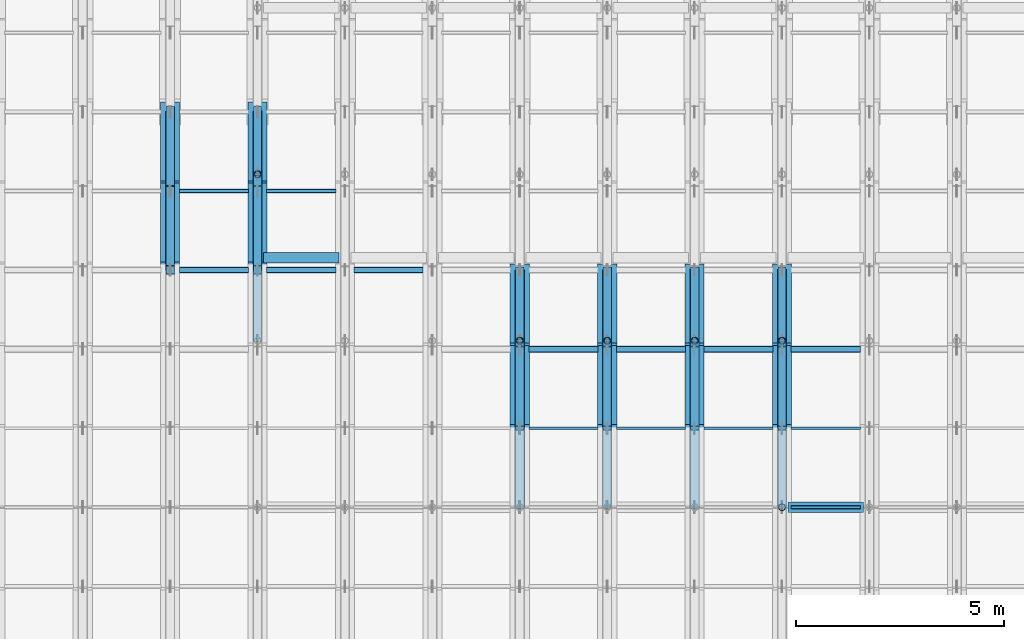
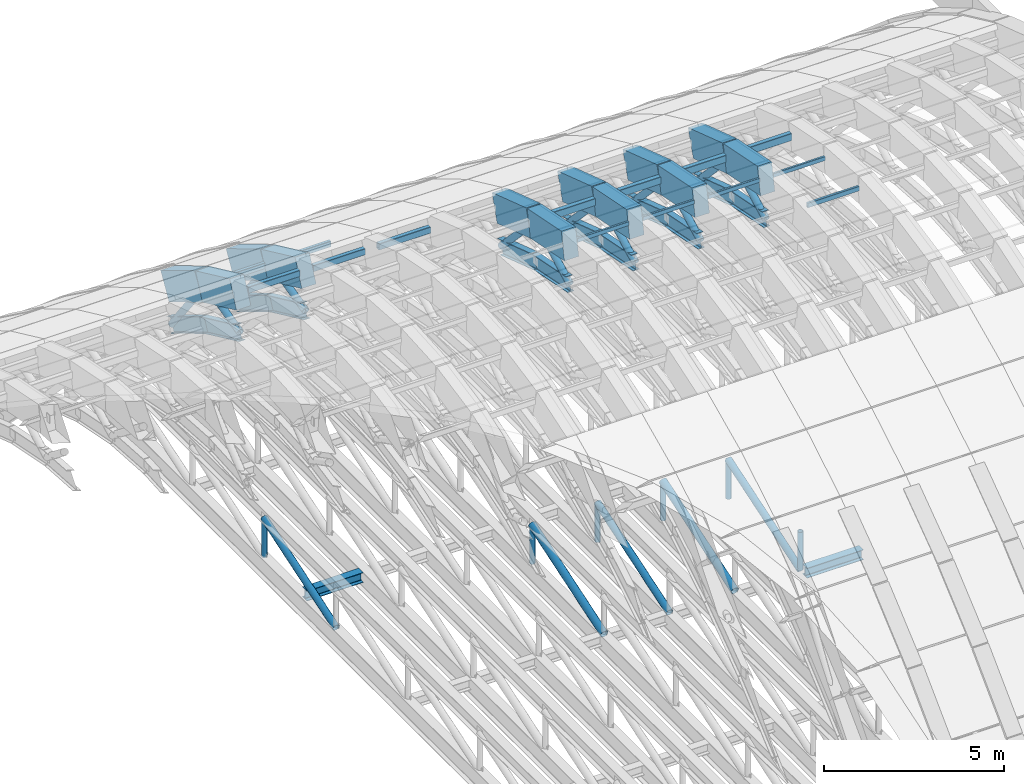
# One storey, part 28 of 67: 37 members, 26 beams.
"""IFC4 building model written with IfcOpenShell, lengths in metres."""

from ifc_helpers import new_model, si_unit, direction, frame, origin, origin_2d, place, context, subcontext, project, spatial, rectangle, hollow_rectangle, hollow_circle, i_section, extrude, material, material_profile, profile_set, type_object, element, save


model = new_model("IFC4")

# Units and contexts
model_context = context("Model", 3, precision=1e-05, world=origin(), true_north=direction((0.0, 1.0)))
body_context = subcontext(model_context, "Body", "Model", "MODEL_VIEW")
ifc_project = project(units=[si_unit("LENGTHUNIT", "METRE"), si_unit("AREAUNIT", "SQUARE_METRE"), si_unit("VOLUMEUNIT", "CUBIC_METRE"), si_unit("PLANEANGLEUNIT", "RADIAN"), si_unit("MASSUNIT", "GRAM", prefix="KILO")], contexts=[model_context])

# Site, building, storey
site_placement = place(None, origin())
site = spatial("IfcSite", under=ifc_project, at=site_placement, CompositionType="ELEMENT")
building_placement = place(site_placement, origin())
building = spatial("IfcBuilding", under=site, at=building_placement, Name="Shengluoqiao Park Theatre", CompositionType="ELEMENT")
storey_placement = place(building_placement, frame((0.0, 0.0, 28.60009765625)))
storey = spatial("IfcBuildingStorey", under=building, at=storey_placement, Name="Roof", CompositionType="ELEMENT", Elevation=28.60009765625)

# Beams
ifc_material_1 = material(Name="Concrete C50", Category="concrete")
ifc_material_profile_1 = material_profile(ifc_material_1, rectangle(XDim=0.4599609375, YDim=0.919921875, at=origin_2d()), Name="RC ARCH 460x920")
ifc_profile_set_1 = profile_set([ifc_material_profile_1], Name="Concrete C50")
beam_type_1 = type_object("IfcBeamType", Name="STR-BM-AR-4609", PredefinedType="BEAM", material=ifc_profile_set_1)
beam_1_placement = place(storey_placement, frame((61.199951171875, 100.699951171875, 1.44580078125), z_axis=(0.0, 0.907077318021, -0.420964059192), x_axis=(-1.0, 0.0, 0.0)))
element("IfcBeam", 1, at=beam_1_placement, inside=storey, type_object=beam_type_1, Name="Barrel-Shell Arch Rib R09-S14", PredefinedType="BEAM", context=body_context, shape_type="SweptSolid", body=[
    extrude(rectangle(XDim=0.4599609375, YDim=0.919921875, at=origin_2d()), origin(), (0.0, 0.0, 1.0), 2.0947265625),
])
beam_2_placement = place(storey_placement, frame((61.199951171875, 102.60009765625, 0.56396484375), z_axis=(0.0, 0.858668723557, -0.512530997292), x_axis=(-1.0, 0.0, 0.0)))
element("IfcBeam", 2, at=beam_2_placement, inside=storey, type_object=beam_type_1, Name="Barrel-Shell Arch Rib R09-S15", PredefinedType="BEAM", context=body_context, shape_type="SweptSolid", body=[
    extrude(rectangle(XDim=0.4599609375, YDim=0.919921875, at=origin_2d()), origin(), (0.0, 0.0, 1.0), 2.212646484375),
])
beam_3_placement = place(storey_placement, frame((63.300048828125, 100.699951171875, 1.44580078125), z_axis=(0.0, 0.907077318021, -0.420964059192), x_axis=(-1.0, 0.0, 0.0)))
element("IfcBeam", 3, at=beam_3_placement, inside=storey, type_object=beam_type_1, Name="Barrel-Shell Arch Rib R10-S14", PredefinedType="BEAM", context=body_context, shape_type="SweptSolid", body=[
    extrude(rectangle(XDim=0.4599609375, YDim=0.919921875, at=origin_2d()), origin(), (0.0, 0.0, 1.0), 2.0947265625),
])
beam_4_placement = place(storey_placement, frame((63.300048828125, 102.60009765625, 0.56396484375), z_axis=(0.0, 0.858668723557, -0.512530997292), x_axis=(-1.0, 0.0, 0.0)))
element("IfcBeam", 4, at=beam_4_placement, inside=storey, type_object=beam_type_1, Name="Barrel-Shell Arch Rib R10-S15", PredefinedType="BEAM", context=body_context, shape_type="SweptSolid", body=[
    extrude(rectangle(XDim=0.4599609375, YDim=0.919921875, at=origin_2d()), origin(), (0.0, 0.0, 1.0), 2.212646484375),
])
beam_5_placement = place(storey_placement, frame((69.60009765625, 96.89990234375, 2.453857421875), z_axis=(0.0, 0.980788534345, -0.195073962632), x_axis=(-1.0, 0.0, 0.0)))
element("IfcBeam", 5, at=beam_5_placement, inside=storey, type_object=beam_type_1, Name="Barrel-Shell Arch Rib R13-S12", PredefinedType="BEAM", context=body_context, shape_type="SweptSolid", body=[
    extrude(rectangle(XDim=0.4599609375, YDim=0.919921875, at=origin_2d()), origin(), (0.0, 0.0, 1.0), 1.937255859375),
])
beam_6_placement = place(storey_placement, frame((69.60009765625, 98.800048828125, 2.075927734375), z_axis=(0.0, 0.949157901431, -0.314800378257), x_axis=(-1.0, 0.0, 0.0)))
element("IfcBeam", 6, at=beam_6_placement, inside=storey, type_object=beam_type_1, Name="Barrel-Shell Arch Rib R13-S13", PredefinedType="BEAM", context=body_context, shape_type="SweptSolid", body=[
    extrude(rectangle(XDim=0.4599609375, YDim=0.919921875, at=origin_2d()), origin(), (0.0, 0.0, 1.0), 2.001708984375),
])
beam_7_placement = place(storey_placement, frame((71.699951171875, 96.89990234375, 2.453857421875), z_axis=(0.0, 0.980788534345, -0.195073962632), x_axis=(-1.0, 0.0, 0.0)))
element("IfcBeam", 7, at=beam_7_placement, inside=storey, type_object=beam_type_1, Name="Barrel-Shell Arch Rib R14-S12", PredefinedType="BEAM", context=body_context, shape_type="SweptSolid", body=[
    extrude(rectangle(XDim=0.4599609375, YDim=0.919921875, at=origin_2d()), origin(), (0.0, 0.0, 1.0), 1.937255859375),
])
beam_8_placement = place(storey_placement, frame((71.699951171875, 98.800048828125, 2.075927734375), z_axis=(0.0, 0.949157901431, -0.314800378257), x_axis=(-1.0, 0.0, 0.0)))
element("IfcBeam", 8, at=beam_8_placement, inside=storey, type_object=beam_type_1, Name="Barrel-Shell Arch Rib R14-S13", PredefinedType="BEAM", context=body_context, shape_type="SweptSolid", body=[
    extrude(rectangle(XDim=0.4599609375, YDim=0.919921875, at=origin_2d()), origin(), (0.0, 0.0, 1.0), 2.001708984375),
])
beam_9_placement = place(storey_placement, frame((73.800048828125, 96.89990234375, 2.453857421875), z_axis=(0.0, 0.980788534345, -0.195073962632), x_axis=(-1.0, 0.0, 0.0)))
element("IfcBeam", 9, at=beam_9_placement, inside=storey, type_object=beam_type_1, Name="Barrel-Shell Arch Rib R15-S12", PredefinedType="BEAM", context=body_context, shape_type="SweptSolid", body=[
    extrude(rectangle(XDim=0.4599609375, YDim=0.919921875, at=origin_2d()), origin(), (0.0, 0.0, 1.0), 1.937255859375),
])
beam_10_placement = place(storey_placement, frame((73.800048828125, 98.800048828125, 2.075927734375), z_axis=(0.0, 0.949157901431, -0.314800378257), x_axis=(-1.0, 0.0, 0.0)))
element("IfcBeam", 10, at=beam_10_placement, inside=storey, type_object=beam_type_1, Name="Barrel-Shell Arch Rib R15-S13", PredefinedType="BEAM", context=body_context, shape_type="SweptSolid", body=[
    extrude(rectangle(XDim=0.4599609375, YDim=0.919921875, at=origin_2d()), origin(), (0.0, 0.0, 1.0), 2.001708984375),
])
beam_11_placement = place(storey_placement, frame((75.89990234375, 96.89990234375, 2.453857421875), z_axis=(0.0, 0.980788534345, -0.195073962632), x_axis=(-1.0, 0.0, 0.0)))
element("IfcBeam", 11, at=beam_11_placement, inside=storey, type_object=beam_type_1, Name="Barrel-Shell Arch Rib R16-S12", PredefinedType="BEAM", context=body_context, shape_type="SweptSolid", body=[
    extrude(rectangle(XDim=0.4599609375, YDim=0.919921875, at=origin_2d()), origin(), (0.0, 0.0, 1.0), 1.937255859375),
])
beam_12_placement = place(storey_placement, frame((75.89990234375, 98.800048828125, 2.075927734375), z_axis=(0.0, 0.949157901431, -0.314800378257), x_axis=(-1.0, 0.0, 0.0)))
element("IfcBeam", 12, at=beam_12_placement, inside=storey, type_object=beam_type_1, Name="Barrel-Shell Arch Rib R16-S13", PredefinedType="BEAM", context=body_context, shape_type="SweptSolid", body=[
    extrude(rectangle(XDim=0.4599609375, YDim=0.919921875, at=origin_2d()), origin(), (0.0, 0.0, 1.0), 2.001708984375),
])
ifc_material_2 = material(Name="Steel Q355", Category="steel")
ifc_material_profile_2 = material_profile(ifc_material_2, i_section(OverallWidth=0.25, OverallDepth=0.340087890625, WebThickness=0.009033203125, FlangeThickness=0.013916015625, FilletRadius=0.01611328125, at=origin_2d()), Name="HM 340x250x9x14")
ifc_profile_set_2 = profile_set([ifc_material_profile_2], Name="Steel Q355")
beam_type_2 = type_object("IfcBeamType", Name="STR-BM-G-HM340", PredefinedType="BEAM", material=ifc_profile_set_2)
for number, where, z_axis, x_axis, name in (
    (13, (63.444091796875, 101.0, -9.77001953125), (1.0, 0.0, 0.0), (0.0, 1.0, 0.0), "Auditorium Overhead Catwalk Girder R10-4"),
    (14, (76.0439453125, 95.0, -9.77001953125), (1.0, 0.0, 0.0), (0.0, 1.0, 0.0), "Auditorium Overhead Catwalk Girder R16-3"),
):
    element("IfcBeam", number, at=place(storey_placement, frame(where, z_axis=z_axis, x_axis=x_axis)), inside=storey, type_object=beam_type_2, Name=name, PredefinedType="BEAM", context=body_context, shape_type="SweptSolid", body=[
        extrude(i_section(OverallWidth=0.25, OverallDepth=0.340087890625, WebThickness=0.009033203125, FlangeThickness=0.013916015625, FilletRadius=0.01611328125, at=origin_2d()), origin(), (0.0, 0.0, 1.0), 1.81201171875),
    ])
ifc_material_profile_3 = material_profile(ifc_material_2, i_section(OverallWidth=0.199951171875, OverallDepth=0.5, WebThickness=0.010009765625, FlangeThickness=0.01611328125, FilletRadius=0.01806640625, at=origin_2d()), Name="HN 500x200x10x16")
ifc_profile_set_3 = profile_set([ifc_material_profile_3], Name="Steel Q355")
beam_type_3 = type_object("IfcBeamType", Name="STR-BM-J-HN500", PredefinedType="JOIST", material=ifc_profile_set_3)
beam_13_placement = place(storey_placement, frame((61.199951171875, 100.699951171875, 0.0859375), z_axis=(0.0, 0.907032812412, -0.421059944911), x_axis=(-1.0, 0.0, 0.0)))
element("IfcBeam", 15, at=beam_13_placement, inside=storey, type_object=beam_type_3, Name="Barrel-Shell Lower Arch Chord R09-S14", PredefinedType="JOIST", context=body_context, shape_type="SweptSolid", body=[
    extrude(i_section(OverallWidth=0.199951171875, OverallDepth=0.5, WebThickness=0.010009765625, FlangeThickness=0.01611328125, FilletRadius=0.01806640625, at=origin_2d()), origin(), (0.0, 0.0, 1.0), 2.094970703125),
])
beam_14_placement = place(storey_placement, frame((61.199951171875, 102.60009765625, -0.796142578125), z_axis=(0.0, 0.858668723557, -0.512530997292), x_axis=(-1.0, 0.0, 0.0)))
element("IfcBeam", 16, at=beam_14_placement, inside=storey, type_object=beam_type_3, Name="Barrel-Shell Lower Arch Chord R09-S15", PredefinedType="JOIST", context=body_context, shape_type="SweptSolid", body=[
    extrude(i_section(OverallWidth=0.199951171875, OverallDepth=0.5, WebThickness=0.010009765625, FlangeThickness=0.01611328125, FilletRadius=0.01806640625, at=origin_2d()), origin(), (0.0, 0.0, 1.0), 2.212646484375),
])
beam_15_placement = place(storey_placement, frame((63.300048828125, 100.699951171875, 0.0859375), z_axis=(0.0, 0.907032812412, -0.421059944911), x_axis=(-1.0, 0.0, 0.0)))
element("IfcBeam", 17, at=beam_15_placement, inside=storey, type_object=beam_type_3, Name="Barrel-Shell Lower Arch Chord R10-S14", PredefinedType="JOIST", context=body_context, shape_type="SweptSolid", body=[
    extrude(i_section(OverallWidth=0.199951171875, OverallDepth=0.5, WebThickness=0.010009765625, FlangeThickness=0.01611328125, FilletRadius=0.01806640625, at=origin_2d()), origin(), (0.0, 0.0, 1.0), 2.094970703125),
])
beam_16_placement = place(storey_placement, frame((63.300048828125, 102.60009765625, -0.796142578125), z_axis=(0.0, 0.858668723557, -0.512530997292), x_axis=(-1.0, 0.0, 0.0)))
element("IfcBeam", 18, at=beam_16_placement, inside=storey, type_object=beam_type_3, Name="Barrel-Shell Lower Arch Chord R10-S15", PredefinedType="JOIST", context=body_context, shape_type="SweptSolid", body=[
    extrude(i_section(OverallWidth=0.199951171875, OverallDepth=0.5, WebThickness=0.010009765625, FlangeThickness=0.01611328125, FilletRadius=0.01806640625, at=origin_2d()), origin(), (0.0, 0.0, 1.0), 2.212646484375),
])
beam_17_placement = place(storey_placement, frame((69.60009765625, 96.89990234375, 1.093994140625), z_axis=(0.0, 0.980764417124, -0.19519517951), x_axis=(-1.0, 0.0, 0.0)))
element("IfcBeam", 19, at=beam_17_placement, inside=storey, type_object=beam_type_3, Name="Barrel-Shell Lower Arch Chord R13-S12", PredefinedType="JOIST", context=body_context, shape_type="SweptSolid", body=[
    extrude(i_section(OverallWidth=0.199951171875, OverallDepth=0.5, WebThickness=0.010009765625, FlangeThickness=0.01611328125, FilletRadius=0.01806640625, at=origin_2d()), origin(), (0.0, 0.0, 1.0), 1.9375),
])
beam_18_placement = place(storey_placement, frame((69.60009765625, 98.800048828125, 0.7158203125), z_axis=(0.0, 0.949194340043, -0.314690490531), x_axis=(-1.0, 0.0, 0.0)))
element("IfcBeam", 20, at=beam_18_placement, inside=storey, type_object=beam_type_3, Name="Barrel-Shell Lower Arch Chord R13-S13", PredefinedType="JOIST", context=body_context, shape_type="SweptSolid", body=[
    extrude(i_section(OverallWidth=0.199951171875, OverallDepth=0.5, WebThickness=0.010009765625, FlangeThickness=0.01611328125, FilletRadius=0.01806640625, at=origin_2d()), origin(), (0.0, 0.0, 1.0), 2.001708984375),
])
beam_19_placement = place(storey_placement, frame((71.699951171875, 96.89990234375, 1.093994140625), z_axis=(0.0, 0.980764417124, -0.19519517951), x_axis=(-1.0, 0.0, 0.0)))
element("IfcBeam", 21, at=beam_19_placement, inside=storey, type_object=beam_type_3, Name="Barrel-Shell Lower Arch Chord R14-S12", PredefinedType="JOIST", context=body_context, shape_type="SweptSolid", body=[
    extrude(i_section(OverallWidth=0.199951171875, OverallDepth=0.5, WebThickness=0.010009765625, FlangeThickness=0.01611328125, FilletRadius=0.01806640625, at=origin_2d()), origin(), (0.0, 0.0, 1.0), 1.9375),
])
beam_20_placement = place(storey_placement, frame((71.699951171875, 98.800048828125, 0.7158203125), z_axis=(0.0, 0.949194340043, -0.314690490531), x_axis=(-1.0, 0.0, 0.0)))
element("IfcBeam", 22, at=beam_20_placement, inside=storey, type_object=beam_type_3, Name="Barrel-Shell Lower Arch Chord R14-S13", PredefinedType="JOIST", context=body_context, shape_type="SweptSolid", body=[
    extrude(i_section(OverallWidth=0.199951171875, OverallDepth=0.5, WebThickness=0.010009765625, FlangeThickness=0.01611328125, FilletRadius=0.01806640625, at=origin_2d()), origin(), (0.0, 0.0, 1.0), 2.001708984375),
])
beam_21_placement = place(storey_placement, frame((73.800048828125, 96.89990234375, 1.093994140625), z_axis=(0.0, 0.980764417124, -0.19519517951), x_axis=(-1.0, 0.0, 0.0)))
element("IfcBeam", 23, at=beam_21_placement, inside=storey, type_object=beam_type_3, Name="Barrel-Shell Lower Arch Chord R15-S12", PredefinedType="JOIST", context=body_context, shape_type="SweptSolid", body=[
    extrude(i_section(OverallWidth=0.199951171875, OverallDepth=0.5, WebThickness=0.010009765625, FlangeThickness=0.01611328125, FilletRadius=0.01806640625, at=origin_2d()), origin(), (0.0, 0.0, 1.0), 1.9375),
])
beam_22_placement = place(storey_placement, frame((73.800048828125, 98.800048828125, 0.7158203125), z_axis=(0.0, 0.949194340043, -0.314690490531), x_axis=(-1.0, 0.0, 0.0)))
element("IfcBeam", 24, at=beam_22_placement, inside=storey, type_object=beam_type_3, Name="Barrel-Shell Lower Arch Chord R15-S13", PredefinedType="JOIST", context=body_context, shape_type="SweptSolid", body=[
    extrude(i_section(OverallWidth=0.199951171875, OverallDepth=0.5, WebThickness=0.010009765625, FlangeThickness=0.01611328125, FilletRadius=0.01806640625, at=origin_2d()), origin(), (0.0, 0.0, 1.0), 2.001708984375),
])
beam_23_placement = place(storey_placement, frame((75.89990234375, 96.89990234375, 1.093994140625), z_axis=(0.0, 0.980764417124, -0.19519517951), x_axis=(-1.0, 0.0, 0.0)))
element("IfcBeam", 25, at=beam_23_placement, inside=storey, type_object=beam_type_3, Name="Barrel-Shell Lower Arch Chord R16-S12", PredefinedType="JOIST", context=body_context, shape_type="SweptSolid", body=[
    extrude(i_section(OverallWidth=0.199951171875, OverallDepth=0.5, WebThickness=0.010009765625, FlangeThickness=0.01611328125, FilletRadius=0.01806640625, at=origin_2d()), origin(), (0.0, 0.0, 1.0), 1.9375),
])
beam_24_placement = place(storey_placement, frame((75.89990234375, 98.800048828125, 0.7158203125), z_axis=(0.0, 0.949194340043, -0.314690490531), x_axis=(-1.0, 0.0, 0.0)))
element("IfcBeam", 26, at=beam_24_placement, inside=storey, type_object=beam_type_3, Name="Barrel-Shell Lower Arch Chord R16-S13", PredefinedType="JOIST", context=body_context, shape_type="SweptSolid", body=[
    extrude(i_section(OverallWidth=0.199951171875, OverallDepth=0.5, WebThickness=0.010009765625, FlangeThickness=0.01611328125, FilletRadius=0.01806640625, at=origin_2d()), origin(), (0.0, 0.0, 1.0), 2.001708984375),
])

# Members
ifc_material_profile_4 = material_profile(ifc_material_2, hollow_circle(Radius=0.109619140625, WallThickness=0.010009765625, at=origin_2d()), Name="CHS 219x10")
ifc_profile_set_4 = profile_set([ifc_material_profile_4], Name="Steel Q355")
member_type_1 = type_object("IfcMemberType", Name="STR-MEM-BRC-219", PredefinedType="BRACE", material=ifc_profile_set_4)
member_1_placement = place(storey_placement, frame((61.199951171875, 100.699951171875, 0.0859375), z_axis=(0.0, 0.96978228772, 0.243971954176), x_axis=(-1.0, 0.0, 0.0)))
element("IfcMember", 27, at=member_1_placement, inside=storey, type_object=member_type_1, Name="Barrel-Shell Arch Truss Web 0174", PredefinedType="BRACE", context=body_context, shape_type="SweptSolid", body=[
    extrude(hollow_circle(Radius=0.109619140625, WallThickness=0.010009765625, at=origin_2d()), origin(), (0.0, 0.0, 1.0), 1.95947265625),
])
member_2_placement = place(storey_placement, frame((61.199951171875, 102.60009765625, 0.56396484375), z_axis=(0.0, 0.605963445698, -0.795492490523), x_axis=(-1.0, 0.0, 0.0)))
element("IfcMember", 28, at=member_2_placement, inside=storey, type_object=member_type_1, Name="Barrel-Shell Arch Truss Web 0175", PredefinedType="BRACE", context=body_context, shape_type="SweptSolid", body=[
    extrude(hollow_circle(Radius=0.109619140625, WallThickness=0.010009765625, at=origin_2d()), origin(), (0.0, 0.0, 1.0), 3.13525390625),
])
member_3_placement = place(storey_placement, frame((63.300048828125, 100.699951171875, 0.0859375), z_axis=(0.0, 0.96978228772, 0.243971954176), x_axis=(-1.0, 0.0, 0.0)))
element("IfcMember", 29, at=member_3_placement, inside=storey, type_object=member_type_1, Name="Barrel-Shell Arch Truss Web 0194", PredefinedType="BRACE", context=body_context, shape_type="SweptSolid", body=[
    extrude(hollow_circle(Radius=0.109619140625, WallThickness=0.010009765625, at=origin_2d()), origin(), (0.0, 0.0, 1.0), 1.95947265625),
])
member_4_placement = place(storey_placement, frame((63.300048828125, 102.60009765625, 0.56396484375), z_axis=(0.0, 0.605963445698, -0.795492490523), x_axis=(-1.0, 0.0, 0.0)))
element("IfcMember", 30, at=member_4_placement, inside=storey, type_object=member_type_1, Name="Barrel-Shell Arch Truss Web 0195", PredefinedType="BRACE", context=body_context, shape_type="SweptSolid", body=[
    extrude(hollow_circle(Radius=0.109619140625, WallThickness=0.010009765625, at=origin_2d()), origin(), (0.0, 0.0, 1.0), 3.13525390625),
])
member_5_placement = place(storey_placement, frame((69.60009765625, 96.89990234375, 1.093994140625), z_axis=(0.0, 0.888389440766, 0.459090624535), x_axis=(-1.0, 0.0, 0.0)))
element("IfcMember", 31, at=member_5_placement, inside=storey, type_object=member_type_1, Name="Barrel-Shell Arch Truss Web 0252", PredefinedType="BRACE", context=body_context, shape_type="SweptSolid", body=[
    extrude(hollow_circle(Radius=0.109619140625, WallThickness=0.010009765625, at=origin_2d()), origin(), (0.0, 0.0, 1.0), 2.138916015625),
])
member_6_placement = place(storey_placement, frame((69.60009765625, 98.800048828125, 2.075927734375), z_axis=(0.0, 0.690545389436, -0.723289060562), x_axis=(-1.0, 0.0, 0.0)))
element("IfcMember", 32, at=member_6_placement, inside=storey, type_object=member_type_1, Name="Barrel-Shell Arch Truss Web 0253", PredefinedType="BRACE", context=body_context, shape_type="SweptSolid", body=[
    extrude(hollow_circle(Radius=0.109619140625, WallThickness=0.010009765625, at=origin_2d()), origin(), (0.0, 0.0, 1.0), 2.751220703125),
])
member_7_placement = place(storey_placement, frame((71.699951171875, 96.89990234375, 1.093994140625), z_axis=(0.0, 0.888389440766, 0.459090624535), x_axis=(-1.0, 0.0, 0.0)))
element("IfcMember", 33, at=member_7_placement, inside=storey, type_object=member_type_1, Name="Barrel-Shell Arch Truss Web 0272", PredefinedType="BRACE", context=body_context, shape_type="SweptSolid", body=[
    extrude(hollow_circle(Radius=0.109619140625, WallThickness=0.010009765625, at=origin_2d()), origin(), (0.0, 0.0, 1.0), 2.138916015625),
])
member_8_placement = place(storey_placement, frame((71.699951171875, 98.800048828125, 2.075927734375), z_axis=(0.0, 0.690545389436, -0.723289060562), x_axis=(-1.0, 0.0, 0.0)))
element("IfcMember", 34, at=member_8_placement, inside=storey, type_object=member_type_1, Name="Barrel-Shell Arch Truss Web 0273", PredefinedType="BRACE", context=body_context, shape_type="SweptSolid", body=[
    extrude(hollow_circle(Radius=0.109619140625, WallThickness=0.010009765625, at=origin_2d()), origin(), (0.0, 0.0, 1.0), 2.751220703125),
])
member_9_placement = place(storey_placement, frame((73.800048828125, 96.89990234375, 1.093994140625), z_axis=(0.0, 0.888389440766, 0.459090624535), x_axis=(-1.0, 0.0, 0.0)))
element("IfcMember", 35, at=member_9_placement, inside=storey, type_object=member_type_1, Name="Barrel-Shell Arch Truss Web 0292", PredefinedType="BRACE", context=body_context, shape_type="SweptSolid", body=[
    extrude(hollow_circle(Radius=0.109619140625, WallThickness=0.010009765625, at=origin_2d()), origin(), (0.0, 0.0, 1.0), 2.138916015625),
])
member_10_placement = place(storey_placement, frame((73.800048828125, 98.800048828125, 2.075927734375), z_axis=(0.0, 0.690545389436, -0.723289060562), x_axis=(-1.0, 0.0, 0.0)))
element("IfcMember", 36, at=member_10_placement, inside=storey, type_object=member_type_1, Name="Barrel-Shell Arch Truss Web 0293", PredefinedType="BRACE", context=body_context, shape_type="SweptSolid", body=[
    extrude(hollow_circle(Radius=0.109619140625, WallThickness=0.010009765625, at=origin_2d()), origin(), (0.0, 0.0, 1.0), 2.751220703125),
])
member_11_placement = place(storey_placement, frame((75.89990234375, 96.89990234375, 1.093994140625), z_axis=(0.0, 0.888389440766, 0.459090624535), x_axis=(-1.0, 0.0, 0.0)))
element("IfcMember", 37, at=member_11_placement, inside=storey, type_object=member_type_1, Name="Barrel-Shell Arch Truss Web 0312", PredefinedType="BRACE", context=body_context, shape_type="SweptSolid", body=[
    extrude(hollow_circle(Radius=0.109619140625, WallThickness=0.010009765625, at=origin_2d()), origin(), (0.0, 0.0, 1.0), 2.138916015625),
])
member_12_placement = place(storey_placement, frame((75.89990234375, 98.800048828125, 2.075927734375), z_axis=(0.0, 0.690545389436, -0.723289060562), x_axis=(-1.0, 0.0, 0.0)))
element("IfcMember", 38, at=member_12_placement, inside=storey, type_object=member_type_1, Name="Barrel-Shell Arch Truss Web 0313", PredefinedType="BRACE", context=body_context, shape_type="SweptSolid", body=[
    extrude(hollow_circle(Radius=0.109619140625, WallThickness=0.010009765625, at=origin_2d()), origin(), (0.0, 0.0, 1.0), 2.751220703125),
])
for number, where, z_axis, x_axis, name in (
    (39, (63.300048828125, 99.0, -9.650146484375), (0.0, 0.951030656115, 0.309096572498), (-1.0, 0.0, 0.0), "Acoustic Tie Truss Diagonal 0015"),
    (40, (71.699951171875, 95.0, -9.650146484375), (0.0, 0.951030656115, 0.309096572498), (-1.0, 0.0, 0.0), "Acoustic Tie Truss Diagonal 0082"),
    (41, (75.89990234375, 95.0, -9.650146484375), (0.0, 0.951030656115, 0.309096572498), (-1.0, 0.0, 0.0), "Acoustic Tie Truss Diagonal 0116"),
):
    element("IfcMember", number, at=place(storey_placement, frame(where, z_axis=z_axis, x_axis=x_axis)), inside=storey, type_object=member_type_1, Name=name, PredefinedType="BRACE", context=body_context, shape_type="SweptSolid", body=[
        extrude(hollow_circle(Radius=0.109619140625, WallThickness=0.010009765625, at=origin_2d()), origin(), (0.0, 0.0, 1.0), 4.2060546875),
    ])
ifc_material_profile_5 = material_profile(ifc_material_2, hollow_circle(Radius=0.12255859375, WallThickness=0.010009765625, at=origin_2d()), Name="CHS 245x10")
ifc_profile_set_5 = profile_set([ifc_material_profile_5], Name="Steel Q355")
member_type_2 = type_object("IfcMemberType", Name="STR-MEM-BRC-245", PredefinedType="BRACE", material=ifc_profile_set_5)
for number, where, z_axis, x_axis, name in (
    (42, (69.60009765625, 95.0, -9.650146484375), (0.0, 0.951030656115, 0.309096572498), (-1.0, 0.0, 0.0), "Acoustic Tie Truss Diagonal 0065"),
    (43, (73.800048828125, 95.0, -9.650146484375), (0.0, 0.951030656115, 0.309096572498), (-1.0, 0.0, 0.0), "Acoustic Tie Truss Diagonal 0099"),
):
    element("IfcMember", number, at=place(storey_placement, frame(where, z_axis=z_axis, x_axis=x_axis)), inside=storey, type_object=member_type_2, Name=name, PredefinedType="BRACE", context=body_context, shape_type="SweptSolid", body=[
        extrude(hollow_circle(Radius=0.12255859375, WallThickness=0.010009765625, at=origin_2d()), origin(), (0.0, 0.0, 1.0), 4.2060546875),
    ])
ifc_material_profile_6 = material_profile(ifc_material_2, hollow_rectangle(XDim=0.070068359375, YDim=0.139892578125, WallThickness=0.006103515625, InnerFilletRadius=0.006103515625, OuterFilletRadius=0.011962890625, at=origin_2d()), Name="RHS 140x70x6")
ifc_profile_set_6 = profile_set([ifc_material_profile_6], Name="Steel Q355")
member_type_3 = type_object("IfcMemberType", Name="STR-MEM-PU-R140", PredefinedType="PURLIN", material=ifc_profile_set_6)
member_13_placement = place(storey_placement, frame((69.820068359375, 96.89990234375, 2.50390625), z_axis=(1.0, 0.0, 0.0), x_axis=(0.0, 1.0, 0.0)))
element("IfcMember", 44, at=member_13_placement, inside=storey, type_object=member_type_3, Name="Shell Longitudinal Purlin 0239", PredefinedType="PURLIN", context=body_context, shape_type="SweptSolid", body=[
    extrude(hollow_rectangle(XDim=0.070068359375, YDim=0.139892578125, WallThickness=0.006103515625, InnerFilletRadius=0.006103515625, OuterFilletRadius=0.011962890625, at=origin_2d()), origin(), (0.0, 0.0, 1.0), 1.659912109375),
])
member_14_placement = place(storey_placement, frame((71.919921875, 96.89990234375, 2.50390625), z_axis=(1.0, 0.0, 0.0), x_axis=(0.0, 1.0, 0.0)))
element("IfcMember", 45, at=member_14_placement, inside=storey, type_object=member_type_3, Name="Shell Longitudinal Purlin 0258", PredefinedType="PURLIN", context=body_context, shape_type="SweptSolid", body=[
    extrude(hollow_rectangle(XDim=0.070068359375, YDim=0.139892578125, WallThickness=0.006103515625, InnerFilletRadius=0.006103515625, OuterFilletRadius=0.011962890625, at=origin_2d()), origin(), (0.0, 0.0, 1.0), 1.66015625),
])
for number, where, z_axis, x_axis, name in (
    (46, (74.02001953125, 96.89990234375, 2.50390625), (1.0, 0.0, 0.0), (0.0, 1.0, 0.0), "Shell Longitudinal Purlin 0277"),
    (47, (76.1201171875, 96.89990234375, 2.50390625), (1.0, 0.0, 0.0), (0.0, 1.0, 0.0), "Shell Longitudinal Purlin 0296"),
):
    element("IfcMember", number, at=place(storey_placement, frame(where, z_axis=z_axis, x_axis=x_axis)), inside=storey, type_object=member_type_3, Name=name, PredefinedType="PURLIN", context=body_context, shape_type="SweptSolid", body=[
        extrude(hollow_rectangle(XDim=0.070068359375, YDim=0.139892578125, WallThickness=0.006103515625, InnerFilletRadius=0.006103515625, OuterFilletRadius=0.011962890625, at=origin_2d()), origin(), (0.0, 0.0, 1.0), 1.659912109375),
    ])
ifc_material_profile_7 = material_profile(ifc_material_2, hollow_rectangle(XDim=0.080078125, YDim=0.159912109375, WallThickness=0.006103515625, InnerFilletRadius=0.006103515625, OuterFilletRadius=0.011962890625, at=origin_2d()), Name="RHS 160x80x6")
ifc_profile_set_7 = profile_set([ifc_material_profile_7], Name="Steel Q355")
member_type_4 = type_object("IfcMemberType", Name="STR-MEM-PU-R160", PredefinedType="PURLIN", material=ifc_profile_set_7)
member_15_placement = place(storey_placement, frame((76.1201171875, 95.0, 2.639892578125), z_axis=(1.0, 0.0, 0.0), x_axis=(0.0, 1.0, 0.0)))
element("IfcMember", 48, at=member_15_placement, inside=storey, type_object=member_type_4, Name="Shell Longitudinal Purlin 0295", PredefinedType="PURLIN", context=body_context, shape_type="SweptSolid", body=[
    extrude(hollow_rectangle(XDim=0.080078125, YDim=0.159912109375, WallThickness=0.006103515625, InnerFilletRadius=0.006103515625, OuterFilletRadius=0.011962890625, at=origin_2d()), origin(), (0.0, 0.0, 1.0), 1.659912109375),
])
ifc_material_profile_8 = material_profile(ifc_material_2, hollow_rectangle(XDim=0.10009765625, YDim=0.199951171875, WallThickness=0.008056640625, InnerFilletRadius=0.008056640625, OuterFilletRadius=0.01611328125, at=origin_2d()), Name="RHS 200x100x8")
ifc_profile_set_8 = profile_set([ifc_material_profile_8], Name="Steel Q355")
member_type_5 = type_object("IfcMemberType", Name="STR-MEM-PU-R200", PredefinedType="PURLIN", material=ifc_profile_set_8)
member_16_placement = place(storey_placement, frame((61.419921875, 102.60009765625, 0.56396484375), z_axis=(1.0, 0.0, 0.0), x_axis=(0.0, 1.0, 0.0)))
element("IfcMember", 49, at=member_16_placement, inside=storey, type_object=member_type_5, Name="Shell Longitudinal Purlin 0166", PredefinedType="PURLIN", context=body_context, shape_type="SweptSolid", body=[
    extrude(hollow_rectangle(XDim=0.10009765625, YDim=0.199951171875, WallThickness=0.008056640625, InnerFilletRadius=0.008056640625, OuterFilletRadius=0.01611328125, at=origin_2d()), origin(), (0.0, 0.0, 1.0), 1.66015625),
])
member_17_placement = place(storey_placement, frame((63.52001953125, 102.60009765625, 0.56396484375), z_axis=(1.0, 0.0, 0.0), x_axis=(0.0, 1.0, 0.0)))
element("IfcMember", 50, at=member_17_placement, inside=storey, type_object=member_type_5, Name="Shell Longitudinal Purlin 0185", PredefinedType="PURLIN", context=body_context, shape_type="SweptSolid", body=[
    extrude(hollow_rectangle(XDim=0.10009765625, YDim=0.199951171875, WallThickness=0.008056640625, InnerFilletRadius=0.008056640625, OuterFilletRadius=0.01611328125, at=origin_2d()), origin(), (0.0, 0.0, 1.0), 1.659912109375),
])
ifc_material_profile_9 = material_profile(ifc_material_2, hollow_rectangle(XDim=0.139892578125, YDim=0.219970703125, WallThickness=0.010009765625, InnerFilletRadius=0.010009765625, OuterFilletRadius=0.02001953125, at=origin_2d()), Name="RHS 220x140x10")
ifc_profile_set_9 = profile_set([ifc_material_profile_9], Name="Steel Q355")
member_type_6 = type_object("IfcMemberType", Name="STR-MEM-PU-R220", PredefinedType="PURLIN", material=ifc_profile_set_9)
member_18_placement = place(storey_placement, frame((61.419921875, 100.699951171875, 1.4658203125), z_axis=(1.0, 0.0, 0.0), x_axis=(0.0, 1.0, 0.0)))
element("IfcMember", 51, at=member_18_placement, inside=storey, type_object=member_type_6, Name="Shell Longitudinal Purlin 0165", PredefinedType="PURLIN", context=body_context, shape_type="SweptSolid", body=[
    extrude(hollow_rectangle(XDim=0.139892578125, YDim=0.219970703125, WallThickness=0.010009765625, InnerFilletRadius=0.010009765625, OuterFilletRadius=0.02001953125, at=origin_2d()), origin(), (0.0, 0.0, 1.0), 1.66015625),
])
for number, where, z_axis, x_axis, name in (
    (52, (63.52001953125, 100.699951171875, 1.4658203125), (1.0, 0.0, 0.0), (0.0, 1.0, 0.0), "Shell Longitudinal Purlin 0184"),
    (53, (65.6201171875, 100.699951171875, 1.4658203125), (1.0, 0.0, 0.0), (0.0, 1.0, 0.0), "Shell Longitudinal Purlin 0203"),
):
    element("IfcMember", number, at=place(storey_placement, frame(where, z_axis=z_axis, x_axis=x_axis)), inside=storey, type_object=member_type_6, Name=name, PredefinedType="PURLIN", context=body_context, shape_type="SweptSolid", body=[
        extrude(hollow_rectangle(XDim=0.139892578125, YDim=0.219970703125, WallThickness=0.010009765625, InnerFilletRadius=0.010009765625, OuterFilletRadius=0.02001953125, at=origin_2d()), origin(), (0.0, 0.0, 1.0), 1.659912109375),
    ])
ifc_material_profile_10 = material_profile(ifc_material_2, hollow_rectangle(XDim=0.14990234375, YDim=0.25, WallThickness=0.010009765625, InnerFilletRadius=0.010009765625, OuterFilletRadius=0.02001953125, at=origin_2d()), Name="RHS 250x150x10")
ifc_profile_set_10 = profile_set([ifc_material_profile_10], Name="Steel Q355")
member_type_7 = type_object("IfcMemberType", Name="STR-MEM-PU-R250", PredefinedType="PURLIN", material=ifc_profile_set_10)
member_19_placement = place(storey_placement, frame((69.820068359375, 98.800048828125, 2.10595703125), z_axis=(1.0, 0.0, 0.0), x_axis=(0.0, 1.0, 0.0)))
element("IfcMember", 54, at=member_19_placement, inside=storey, type_object=member_type_7, Name="Shell Longitudinal Purlin 0240", PredefinedType="PURLIN", context=body_context, shape_type="SweptSolid", body=[
    extrude(hollow_rectangle(XDim=0.14990234375, YDim=0.25, WallThickness=0.010009765625, InnerFilletRadius=0.010009765625, OuterFilletRadius=0.02001953125, at=origin_2d()), origin(), (0.0, 0.0, 1.0), 1.659912109375),
])
member_20_placement = place(storey_placement, frame((71.919921875, 98.800048828125, 2.10595703125), z_axis=(1.0, 0.0, 0.0), x_axis=(0.0, 1.0, 0.0)))
element("IfcMember", 55, at=member_20_placement, inside=storey, type_object=member_type_7, Name="Shell Longitudinal Purlin 0259", PredefinedType="PURLIN", context=body_context, shape_type="SweptSolid", body=[
    extrude(hollow_rectangle(XDim=0.14990234375, YDim=0.25, WallThickness=0.010009765625, InnerFilletRadius=0.010009765625, OuterFilletRadius=0.02001953125, at=origin_2d()), origin(), (0.0, 0.0, 1.0), 1.66015625),
])
for number, where, z_axis, x_axis, name in (
    (56, (74.02001953125, 98.800048828125, 2.10595703125), (1.0, 0.0, 0.0), (0.0, 1.0, 0.0), "Shell Longitudinal Purlin 0278"),
    (57, (76.1201171875, 98.800048828125, 2.10595703125), (1.0, 0.0, 0.0), (0.0, 1.0, 0.0), "Shell Longitudinal Purlin 0297"),
):
    element("IfcMember", number, at=place(storey_placement, frame(where, z_axis=z_axis, x_axis=x_axis)), inside=storey, type_object=member_type_7, Name=name, PredefinedType="PURLIN", context=body_context, shape_type="SweptSolid", body=[
        extrude(hollow_rectangle(XDim=0.14990234375, YDim=0.25, WallThickness=0.010009765625, InnerFilletRadius=0.010009765625, OuterFilletRadius=0.02001953125, at=origin_2d()), origin(), (0.0, 0.0, 1.0), 1.659912109375),
    ])
ifc_material_profile_11 = material_profile(ifc_material_2, hollow_circle(Radius=0.083984375, WallThickness=0.008056640625, at=origin_2d()), Name="CHS 168x8")
ifc_profile_set_11 = profile_set([ifc_material_profile_11], Name="Steel Q355")
member_type_8 = type_object("IfcMemberType", Name="STR-MEM-STC-168", PredefinedType="STRUT", material=ifc_profile_set_11)
for number, where, z_axis, x_axis, name in (
    (58, (63.300048828125, 103.0, -9.650146484375), (0.0, 0.0, 1.0), (1.0, 0.0, 0.0), "Acoustic Tie Truss Strut 0007"),
    (59, (69.60009765625, 99.0, -9.650146484375), (0.0, 0.0, 1.0), (1.0, 0.0, 0.0), "Acoustic Tie Truss Strut 0057"),
    (60, (71.699951171875, 99.0, -9.650146484375), (0.0, 0.0, 1.0), (1.0, 0.0, 0.0), "Acoustic Tie Truss Strut 0074"),
    (61, (73.800048828125, 99.0, -9.650146484375), (0.0, 0.0, 1.0), (1.0, 0.0, 0.0), "Acoustic Tie Truss Strut 0091"),
    (62, (75.89990234375, 95.0, -9.650146484375), (0.0, 0.0, 1.0), (1.0, 0.0, 0.0), "Acoustic Tie Truss Strut 0107"),
    (63, (75.89990234375, 99.0, -9.650146484375), (0.0, 0.0, 1.0), (1.0, 0.0, 0.0), "Acoustic Tie Truss Strut 0108"),
):
    element("IfcMember", number, at=place(storey_placement, frame(where, z_axis=z_axis, x_axis=x_axis)), inside=storey, type_object=member_type_8, Name=name, PredefinedType="STRUT", context=body_context, shape_type="SweptSolid", body=[
        extrude(hollow_circle(Radius=0.083984375, WallThickness=0.008056640625, at=origin_2d()), origin(), (0.0, 0.0, 1.0), 1.300048828125),
    ])

save(model, "model.ifc")
